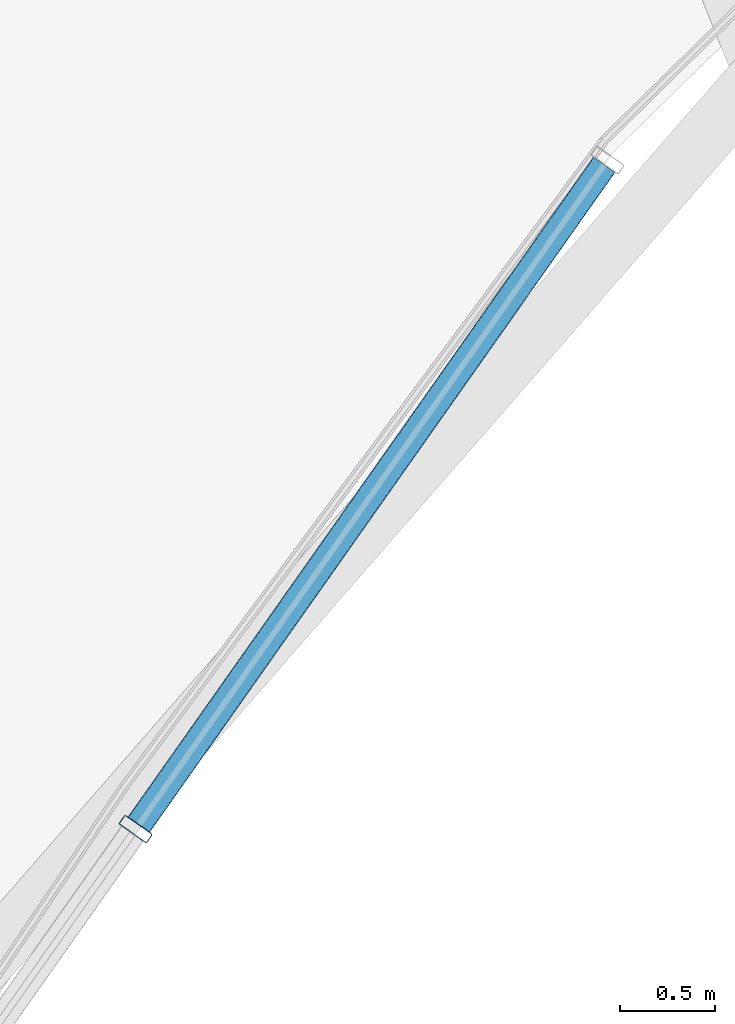
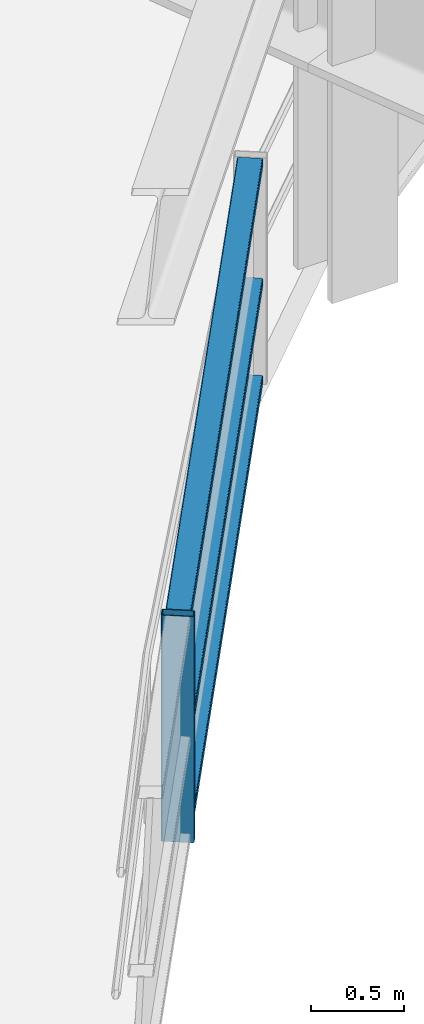
# One storey, part 20 of 53: 4 members, 1 element without a shape of its own.
"""IFC4 building model written with IfcOpenShell, lengths in metres."""

from ifc_helpers import new_model, si_unit, direction, frame, origin, origin_2d, place, context, subcontext, project, spatial, hollow_rectangle, extrude, material, layer, layer_set, material_profile, profile_set, type_object, element, aggregate, save


model = new_model("IFC4")

# Units and contexts
model_context = context("Model", 3, precision=1e-05, world=origin(), true_north=direction((0.0, 1.0)))
body_context = subcontext(model_context, "Body", "Model", "MODEL_VIEW")
ifc_project = project(units=[si_unit("LENGTHUNIT", "METRE"), si_unit("AREAUNIT", "SQUARE_METRE"), si_unit("VOLUMEUNIT", "CUBIC_METRE"), si_unit("PLANEANGLEUNIT", "RADIAN"), si_unit("MASSUNIT", "GRAM", prefix="KILO")], contexts=[model_context])

# Site, building, storey
site_placement = place(None, origin())
site = spatial("IfcSite", under=ifc_project, at=site_placement, CompositionType="ELEMENT")
building_placement = place(site_placement, origin())
building = spatial("IfcBuilding", under=site, at=building_placement, Name="Kelanora Arch Commons", CompositionType="ELEMENT")
storey_placement = place(building_placement, frame((0.0, 0.0, 9.0)))
storey = spatial("IfcBuildingStorey", under=building, at=storey_placement, Name="L02", CompositionType="ELEMENT", Elevation=9.0)

# Curtain wall, members
ifc_material_1 = material(Name="Terracotta ceramic-fritted low-E glass and aluminium", Category="masonry")
ifc_layer = layer(ifc_material_1, 0.2099609375)
ifc_layer_set = layer_set([ifc_layer], Name="Terracotta ceramic-fritted low-E glass and aluminium")
curtain_wall_type = type_object("IfcCurtainWallType", Name="CW-SYS-04", PredefinedType="NOTDEFINED", material=ifc_layer_set)
curtain_wall_placement = place(storey_placement, origin())
curtain_wall = element("IfcCurtainWall", 1, at=curtain_wall_placement, inside=storey, type_object=curtain_wall_type, Name="Unitised Curtain Wall L02-B14", PredefinedType="NOTDEFINED")
ifc_material_2 = material(Name="Powder-coated aluminium terracotta", Category="masonry")
ifc_material_profile_1 = material_profile(ifc_material_2, hollow_rectangle(XDim=0.179931640625, YDim=0.06005859375, WallThickness=0.0048828125, InnerFilletRadius=0.0048828125, OuterFilletRadius=0.010009765625, at=origin_2d()), Name="CWM180x60")
ifc_profile_set_1 = profile_set([ifc_material_profile_1], Name="Powder-coated aluminium terracotta")
member_type_1 = type_object("IfcMemberType", Name="CWM-HVY", PredefinedType="MULLION", material=ifc_profile_set_1)
member_1_placement = place(storey_placement, frame((82.1259765625, 38.0078125, 0.0), z_axis=(0.0, 0.0, 1.0), x_axis=(-0.817206133555, 0.576345499922, 0.0)))
member_1 = element("IfcMember", 2, at=member_1_placement, type_object=member_type_1, Name="CW-04 mullion 2", PredefinedType="MULLION", context=body_context, shape_type="SweptSolid", body=[
    extrude(hollow_rectangle(XDim=0.179931640625, YDim=0.06005859375, WallThickness=0.0048828125, InnerFilletRadius=0.0048828125, OuterFilletRadius=0.010009765625, at=origin_2d()), origin(), (0.0, 0.0, 1.0), 1.47998046875),
])
ifc_material_profile_2 = material_profile(ifc_material_2, hollow_rectangle(XDim=0.139892578125, YDim=0.06005859375, WallThickness=0.0048828125, InnerFilletRadius=0.0048828125, OuterFilletRadius=0.010009765625, at=origin_2d()), Name="CWT140x60")
ifc_profile_set_2 = profile_set([ifc_material_profile_2], Name="Powder-coated aluminium terracotta")
member_type_2 = type_object("IfcMemberType", Name="CWT-HVY", PredefinedType="USERDEFINED", material=ifc_profile_set_2)
member_2_placement = place(storey_placement, frame((82.143310546875, 38.0322265625, 0.030029296875), z_axis=(0.576321543943, 0.817223028302, 0.0), x_axis=(-0.817223028302, 0.576321543943, 0.0)))
member_2 = element("IfcMember", 3, at=member_2_placement, type_object=member_type_2, Name="CW-04 transom 2.1", ObjectType="TRANSOM", PredefinedType="USERDEFINED", context=body_context, shape_type="SweptSolid", body=[
    extrude(hollow_rectangle(XDim=0.139892578125, YDim=0.06005859375, WallThickness=0.0048828125, InnerFilletRadius=0.0048828125, OuterFilletRadius=0.010009765625, at=origin_2d()), origin(), (0.0, 0.0, 1.0), 4.2412109375),
])
member_3_placement = place(storey_placement, frame((82.143310546875, 38.0322265625, 0.666015625), z_axis=(0.576321543943, 0.817223028302, 0.0), x_axis=(-0.817223028302, 0.576321543943, 0.0)))
member_3 = element("IfcMember", 4, at=member_3_placement, type_object=member_type_2, Name="CW-04 transom 2.2", ObjectType="TRANSOM", PredefinedType="USERDEFINED", context=body_context, shape_type="SweptSolid", body=[
    extrude(hollow_rectangle(XDim=0.139892578125, YDim=0.06005859375, WallThickness=0.0048828125, InnerFilletRadius=0.0048828125, OuterFilletRadius=0.010009765625, at=origin_2d()), origin(), (0.0, 0.0, 1.0), 4.2412109375),
])
member_4_placement = place(storey_placement, frame((82.143310546875, 38.0322265625, 1.449951171875), z_axis=(0.576321543943, 0.817223028302, 0.0), x_axis=(-0.817223028302, 0.576321543943, 0.0)))
member_4 = element("IfcMember", 5, at=member_4_placement, type_object=member_type_2, Name="CW-04 transom 2.3", ObjectType="TRANSOM", PredefinedType="USERDEFINED", context=body_context, shape_type="SweptSolid", body=[
    extrude(hollow_rectangle(XDim=0.139892578125, YDim=0.06005859375, WallThickness=0.0048828125, InnerFilletRadius=0.0048828125, OuterFilletRadius=0.010009765625, at=origin_2d()), origin(), (0.0, 0.0, 1.0), 4.2412109375),
])
aggregate(curtain_wall, [member_1, member_2, member_3, member_4])

save(model, "model.ifc")
